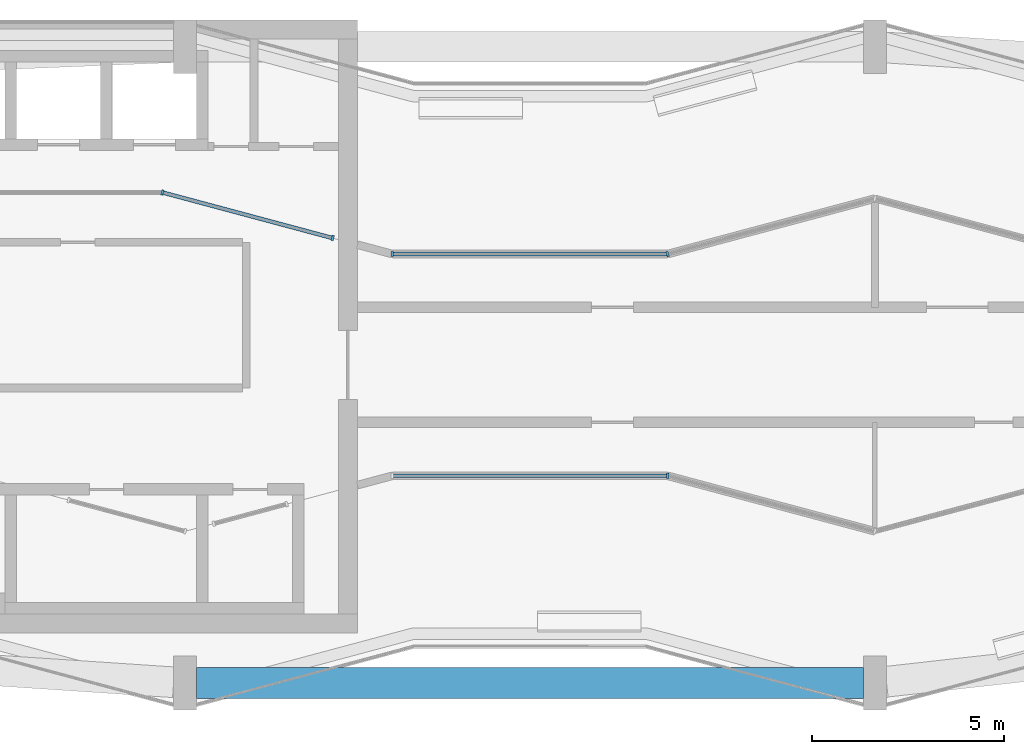
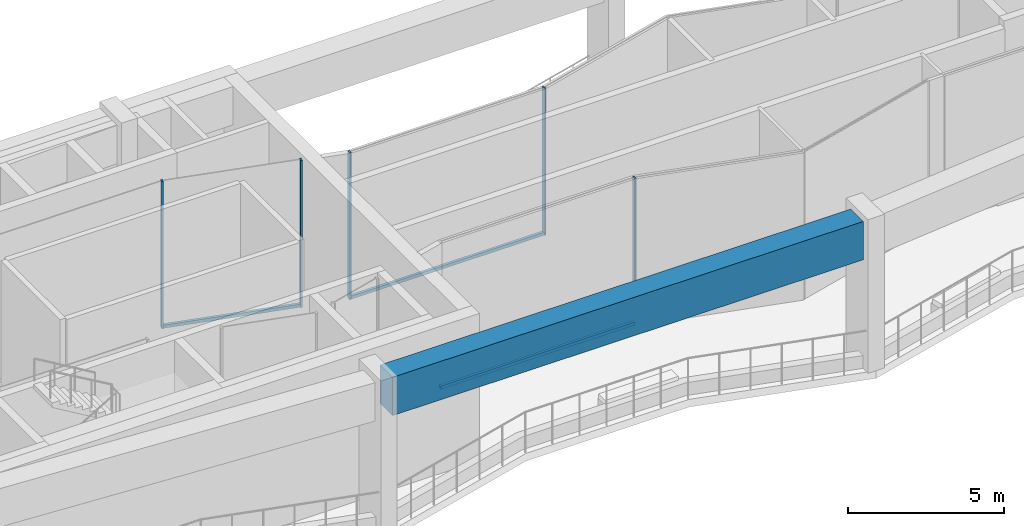
# One storey, part 3 of 12: 8 members, 1 beam, 4 elements without a shape of their own.
"""IFC4 building model written with IfcOpenShell, lengths in metres."""

import ifcopenshell
import ifcopenshell.guid

model = None  # the IFC model being written
_history = None  # IfcOwnerHistory: only IFC2X3 demands one
_inside = {}  # id of a spatial element -> (the spatial element, [elements in it])
_under = {}  # id of a project, library or spatial element -> (it, [spatial elements below it])
_declared = {}  # id of a project -> (the project, [libraries it declares])
_typed = {}  # id of a type object -> (the type object, [elements of that type])
_made_of = {}  # id of a material, layer set ... -> (it, [elements and type objects made of it])


def new_model(schema):
    """Start an empty IFC model of exactly this schema.

    Asked for "IFC4X3", IfcOpenShell would pick the latest addendum, in which some entities
    have other attributes; the version numbers below select the first issue.
    IFC2X3 requires an IfcOwnerHistory on every rooted entity: one is made here for all.
    """
    global model, _history
    if schema == "IFC4X3":
        model = ifcopenshell.file(schema_version=(4, 3, 0, 0))
    else:
        model = ifcopenshell.file(schema=schema)
    _inside.clear()
    _under.clear()
    _declared.clear()
    _typed.clear()
    _made_of.clear()
    _history = None
    if model.schema == "IFC2X3":
        org = make("IfcOrganization", Name="unknown")
        user = make(
            "IfcPersonAndOrganization",
            ThePerson=make("IfcPerson", FamilyName="unknown"),
            TheOrganization=org,
        )
        app = make(
            "IfcApplication",
            ApplicationDeveloper=org,
            Version="unknown",
            ApplicationFullName="unknown",
            ApplicationIdentifier="unknown",
        )
        _history = make(
            "IfcOwnerHistory",
            OwningUser=user,
            OwningApplication=app,
            ChangeAction="ADDED",
            CreationDate=0,
        )
    return model


def make(cls, **values):
    """One entity of the class cls with the attributes given. An attribute that is None is left unset."""
    return model.create_entity(
        cls, **{name: value for name, value in values.items() if value is not None}
    )


def rooted(cls, **values):
    """An entity with a GlobalId (a new one), such as an element, a storey or a relation."""
    return make(cls, GlobalId=ifcopenshell.guid.new(), OwnerHistory=_history, **values)


def si_unit(unit_type, name, prefix=None):
    """IfcSIUnit, for example si_unit("LENGTHUNIT", "METRE", prefix="MILLI")."""
    return make("IfcSIUnit", UnitType=unit_type, Prefix=prefix, Name=name)


def assignment(units):
    """IfcUnitAssignment: the units of a project."""
    return None if units is None else make("IfcUnitAssignment", Units=units)


def point(xyz):
    """IfcCartesianPoint."""
    return None if xyz is None else make("IfcCartesianPoint", Coordinates=xyz)


def direction(xyz):
    """IfcDirection."""
    return None if xyz is None else make("IfcDirection", DirectionRatios=xyz)


def frame(location, z_axis=None, x_axis=None):
    """IfcAxis2Placement3D, a coordinate frame: its origin and axes. An axis left out is left unset."""
    return make(
        "IfcAxis2Placement3D",
        Location=point(location),
        Axis=direction(z_axis),
        RefDirection=direction(x_axis),
    )


def frame_2d(location, x_axis=None):
    """IfcAxis2Placement2D, a coordinate frame in the plane: its origin and x axis."""
    return make(
        "IfcAxis2Placement2D", Location=point(location), RefDirection=direction(x_axis)
    )


def origin():
    """The frame at (0, 0, 0) with its axes left unset."""
    return frame((0.0, 0.0, 0.0))


def origin_2d():
    """The frame at (0, 0) in the plane with its x axis left unset."""
    return frame_2d((0.0, 0.0))


def place(relative_to, where):
    """IfcLocalPlacement: puts the frame where relative to a parent placement (None: the world)."""
    return make(
        "IfcLocalPlacement", PlacementRelTo=relative_to, RelativePlacement=where
    )


def context(
    kind, dimensions, precision=None, world=None, true_north=None, identifier=None
):
    """IfcGeometricRepresentationContext, for example the 3D "Model" context."""
    return make(
        "IfcGeometricRepresentationContext",
        ContextIdentifier=identifier,
        ContextType=kind,
        CoordinateSpaceDimension=dimensions,
        Precision=precision,
        WorldCoordinateSystem=world,
        TrueNorth=true_north,
    )


def subcontext(parent, identifier, kind, view, scale=None):
    """IfcGeometricRepresentationSubContext, for example "Body" below "Model"."""
    return make(
        "IfcGeometricRepresentationSubContext",
        ContextIdentifier=identifier,
        ContextType=kind,
        ParentContext=parent,
        TargetScale=scale,
        TargetView=view,
    )


def project(units=None, contexts=None):
    """IfcProject with its units and contexts."""
    return rooted(
        "IfcProject",
        Name="project",
        RepresentationContexts=contexts,
        UnitsInContext=assignment(units),
    )


def spatial(cls, under=None, at=None, **own):
    """A site, building, storey or space (cls), placed at a placement, below another one or the project."""
    s = rooted(cls, ObjectPlacement=at, **own)
    if under is not None:
        _under.setdefault(under.id(), (under, []))[1].append(s)
    return s


def profile(cls, at=None, kind="AREA", **sizes):
    """A parametric profile (cls). Its sizes go by their IFC names, for example OverallWidth=200.0."""
    return make(cls, ProfileType=kind, Position=at, **sizes)


def rectangle(**sizes):
    """IfcRectangleProfileDef."""
    return profile("IfcRectangleProfileDef", **sizes)


def extrude(swept, where, along, depth):
    """IfcExtrudedAreaSolid: the profile swept, set in the frame where, extruded along a direction by depth."""
    return make(
        "IfcExtrudedAreaSolid",
        SweptArea=swept,
        Position=where,
        ExtrudedDirection=direction(along),
        Depth=depth,
    )


def shape(context_of_items, identifier, shape_type, items):
    """IfcShapeRepresentation: the items that make up one representation, for example the "Body"."""
    return make(
        "IfcShapeRepresentation",
        ContextOfItems=context_of_items,
        RepresentationIdentifier=identifier,
        RepresentationType=shape_type,
        Items=items,
    )


def material(Name=None, Category=None):
    """IfcMaterial."""
    return make("IfcMaterial", Name=Name, Category=Category)


def layer(
    of_material, thickness, ventilated=None, Name=None, Category=None, Priority=None
):
    """IfcMaterialLayer: one layer of a wall or slab, of a material (None: an air gap)."""
    return make(
        "IfcMaterialLayer",
        Material=of_material,
        LayerThickness=thickness,
        IsVentilated=ventilated,
        Name=Name,
        Category=Category,
        Priority=Priority,
    )


def layer_set(layers, Name=None):
    """IfcMaterialLayerSet."""
    return make("IfcMaterialLayerSet", MaterialLayers=layers, LayerSetName=Name)


def material_profile(
    of_material, cross_section, Name=None, Category=None, Priority=None
):
    """IfcMaterialProfile: a cross section and its material."""
    return make(
        "IfcMaterialProfile",
        Name=Name,
        Material=of_material,
        Profile=cross_section,
        Priority=Priority,
        Category=Category,
    )


def profile_set(profiles, Name=None, composite=None):
    """IfcMaterialProfileSet."""
    return make(
        "IfcMaterialProfileSet",
        Name=Name,
        MaterialProfiles=profiles,
        CompositeProfile=composite,
    )


def made_of(thing, what):
    """Note that an element or type object is made of a material, layer set ...; save() writes the relation."""
    if what is not None:
        _made_of.setdefault(what.id(), (what, []))[1].append(thing)
    return thing


def type_object(cls, material=None, **own):
    """A type object (cls), such as IfcWallType, which elements share."""
    return made_of(rooted(cls, **own), material)


def element(
    cls,
    number,
    at=None,
    inside=None,
    cuts=None,
    type_object=None,
    material=None,
    context=None,
    identifier="Body",
    shape_type=None,
    held_by="IfcProductDefinitionShape",
    body=None,
    shapes=None,
    **own,
):
    """One element of the class cls, such as IfcWall. Its Tag is "e" and its number.

    at: its placement. inside: the storey or other place that contains it. cuts: it is an
    opening in that element (IfcRelVoidsElement). A single representation is given by context,
    identifier, shape_type and body (its items); several are given by shapes. held_by: the class
    of the entity that holds the representations. save() writes the other relations.
    """
    e = rooted(cls, Tag="e%d" % number, ObjectPlacement=at, **own)
    if body is not None:
        shapes = [shape(context, identifier, shape_type, body)]
    if shapes is not None:
        e.Representation = make(held_by, Representations=shapes)
    if inside is not None:
        _inside.setdefault(inside.id(), (inside, []))[1].append(e)
    if cuts is not None:
        rooted(
            "IfcRelVoidsElement", RelatingBuildingElement=cuts, RelatedOpeningElement=e
        )
    if type_object is not None:
        _typed.setdefault(type_object.id(), (type_object, []))[1].append(e)
    return made_of(e, material)


def aggregate(whole, parts):
    """IfcRelAggregates: a whole, such as a stair, and the parts it consists of."""
    return rooted("IfcRelAggregates", RelatingObject=whole, RelatedObjects=parts)


def save(model, path):
    """Write the relations noted so far, then the file.

    IfcRelAggregates (storeys below a building ...), IfcRelContainedInSpatialStructure (elements
    in a storey), IfcRelDefinesByType, IfcRelAssociatesMaterial and IfcRelDeclares: one each for
    every whole, place, type object, material and project.
    """
    for whole, parts in _under.values():
        aggregate(whole, parts)
    for where, things in _inside.values():
        rooted(
            "IfcRelContainedInSpatialStructure",
            RelatedElements=things,
            RelatingStructure=where,
        )
    for kind, things in _typed.values():
        rooted("IfcRelDefinesByType", RelatedObjects=things, RelatingType=kind)
    for what, things in _made_of.values():
        rooted("IfcRelAssociatesMaterial", RelatedObjects=things, RelatingMaterial=what)
    for by, libraries in _declared.values():
        rooted("IfcRelDeclares", RelatingContext=by, RelatedDefinitions=libraries)
    model.write(path)


model = new_model("IFC4")

# Units and contexts
model_context = context("Model", 3, precision=1e-05, world=origin(), true_north=direction((0.0, 1.0)))
body_context = subcontext(model_context, "Body", "Model", "MODEL_VIEW")
ifc_project = project(units=[si_unit("LENGTHUNIT", "METRE"), si_unit("AREAUNIT", "SQUARE_METRE"), si_unit("VOLUMEUNIT", "CUBIC_METRE"), si_unit("PLANEANGLEUNIT", "RADIAN"), si_unit("MASSUNIT", "GRAM", prefix="KILO")], contexts=[model_context])

# Site, building, storey
site_placement = place(None, origin())
site = spatial("IfcSite", under=ifc_project, at=site_placement, CompositionType="ELEMENT")
building_placement = place(site_placement, origin())
building = spatial("IfcBuilding", under=site, at=building_placement, Name="Plateau Cross Towers", CompositionType="ELEMENT")
storey_placement = place(building_placement, frame((0.0, 0.0, 236.39990234375)))
storey = spatial("IfcBuildingStorey", under=building, at=storey_placement, Name="L62", CompositionType="ELEMENT", Elevation=236.39990234375)

# Beam
ifc_material_1 = material(Name="Concrete C60/75", Category="concrete")
ifc_material_profile_1 = material_profile(ifc_material_1, rectangle(XDim=0.800048828125, YDim=1.5, at=origin_2d()), Name="RC 800x1500")
ifc_profile_set_1 = profile_set([ifc_material_profile_1], Name="Concrete C60/75")
beam_type = type_object("IfcBeamType", Name="Belt beam RC 800x1500", PredefinedType="BEAM", material=ifc_profile_set_1)
beam_placement = place(storey_placement, frame((18.300048828125, 0.699951171875, 5.0), z_axis=(1.0, 0.0, 0.0), x_axis=(0.0, 1.0, 0.0)))
element("IfcBeam", 1, at=beam_placement, inside=storey, type_object=beam_type, Name="BELT-L62-01", PredefinedType="BEAM", context=body_context, shape_type="SweptSolid", body=[
    extrude(rectangle(XDim=0.800048828125, YDim=1.5, at=origin_2d()), origin(), (0.0, 0.0, 1.0), 17.39990234375),
])

# Curtain wall, members
ifc_material_2 = material(Name="Dark low-iron glass", Category="glass")
ifc_layer = layer(ifc_material_2, 0.239990234375)
ifc_layer_set = layer_set([ifc_layer], Name="Dark low-iron glass")
curtain_wall_type = type_object("IfcCurtainWallType", Name="Curtain wall flush unitised CW-B", PredefinedType="NOTDEFINED", material=ifc_layer_set)
curtain_wall_1_placement = place(storey_placement, origin())
curtain_wall_1 = element("IfcCurtainWall", 2, at=curtain_wall_1_placement, inside=storey, type_object=curtain_wall_type, Name="ENV/A/L62/inner0_174_135", PredefinedType="NOTDEFINED")
ifc_material_3 = material(Name="Black anodised aluminium", Category="aluminium")
ifc_material_profile_2 = material_profile(ifc_material_3, rectangle(XDim=0.06005859375, YDim=0.139892578125, at=origin_2d()), Name="MULLION 60x140")
ifc_profile_set_2 = profile_set([ifc_material_profile_2], Name="Black anodised aluminium")
member_type_1 = type_object("IfcMemberType", Name="Mullion 60x140 flush unitised", PredefinedType="MULLION", material=ifc_profile_set_2)
member_1_placement = place(storey_placement, frame((17.407958984375, 13.5, 0.0), z_axis=(0.0, 0.0, 1.0), x_axis=(0.965957983404, -0.258699003279, 0.0)))
member_1 = element("IfcMember", 3, at=member_1_placement, type_object=member_type_1, Name="CW-B mullion 1", PredefinedType="MULLION", context=body_context, shape_type="SweptSolid", body=[
    extrude(rectangle(XDim=0.06005859375, YDim=0.139892578125, at=origin_2d()), origin(), (0.0, 0.0, 1.0), 5.75),
])
member_2_placement = place(storey_placement, frame((21.85107421875, 12.31005859375, 0.0), z_axis=(0.0, 0.0, 1.0), x_axis=(0.965957983404, -0.258699003279, 0.0)))
member_2 = element("IfcMember", 4, at=member_2_placement, type_object=member_type_1, Name="CW-B mullion 2", PredefinedType="MULLION", context=body_context, shape_type="SweptSolid", body=[
    extrude(rectangle(XDim=0.06005859375, YDim=0.139892578125, at=origin_2d()), origin(), (0.0, 0.0, 1.0), 5.75),
])

# Curtain wall, member
curtain_wall_2_placement = place(storey_placement, origin())
curtain_wall_2 = element("IfcCurtainWall", 5, at=curtain_wall_2_placement, inside=storey, type_object=curtain_wall_type, Name="ENV/A/L62/inner0_234_119", PredefinedType="NOTDEFINED")
member_3_placement = place(storey_placement, frame((23.407958984375, 11.89306640625, 0.0), z_axis=(0.0, 0.0, 1.0), x_axis=(1.0, 0.0, 0.0)))
member_3 = element("IfcMember", 6, at=member_3_placement, type_object=member_type_1, Name="CW-B mullion 1", PredefinedType="MULLION", context=body_context, shape_type="SweptSolid", body=[
    extrude(rectangle(XDim=0.06005859375, YDim=0.139892578125, at=origin_2d()), origin(), (0.0, 0.0, 1.0), 5.75),
])

curtain_wall_3_placement = place(storey_placement, origin())
curtain_wall_3 = element("IfcCurtainWall", 7, at=curtain_wall_3_placement, inside=storey, type_object=curtain_wall_type, Name="ENV/A/L62/inner0_306_119", PredefinedType="NOTDEFINED")
member_4_placement = place(storey_placement, frame((30.592041015625, 11.89306640625, 0.0), z_axis=(0.0, 0.0, 1.0), x_axis=(0.965957983404, 0.258699003279, 0.0)))
member_4 = element("IfcMember", 8, at=member_4_placement, type_object=member_type_1, Name="CW-B mullion 1", PredefinedType="MULLION", context=body_context, shape_type="SweptSolid", body=[
    extrude(rectangle(XDim=0.06005859375, YDim=0.139892578125, at=origin_2d()), origin(), (0.0, 0.0, 1.0), 5.75),
])
aggregate(curtain_wall_3, [member_4])

curtain_wall_4_placement = place(storey_placement, origin())
curtain_wall_4 = element("IfcCurtainWall", 9, at=curtain_wall_4_placement, inside=storey, type_object=curtain_wall_type, Name="ENV/A/L62/inner0_306_61", PredefinedType="NOTDEFINED")
member_5_placement = place(storey_placement, frame((30.592041015625, 6.10693359375, 0.0), z_axis=(0.0, 0.0, 1.0), x_axis=(-1.0, 0.0, 0.0)))
member_5 = element("IfcMember", 10, at=member_5_placement, type_object=member_type_1, Name="CW-B mullion 1", PredefinedType="MULLION", context=body_context, shape_type="SweptSolid", body=[
    extrude(rectangle(XDim=0.06005859375, YDim=0.139892578125, at=origin_2d()), origin(), (0.0, 0.0, 1.0), 5.75),
])

# Member
ifc_material_profile_3 = material_profile(ifc_material_3, rectangle(XDim=0.10009765625, YDim=0.1201171875, at=origin_2d()), Name="TRANSOM 100x120")
ifc_profile_set_3 = profile_set([ifc_material_profile_3], Name="Black anodised aluminium")
member_type_2 = type_object("IfcMemberType", Name="Transom 100x120 flush unitised", PredefinedType="USERDEFINED", material=ifc_profile_set_3)
member_6_placement = place(storey_placement, frame((17.407958984375, 13.5, 0.06005859375), z_axis=(0.965957763014, -0.258699826195, 0.0), x_axis=(0.258699826195, 0.965957763014, 0.0)))
member_6 = element("IfcMember", 11, at=member_6_placement, type_object=member_type_2, Name="CW-B transom", ObjectType="TRANSOM", PredefinedType="USERDEFINED", context=body_context, shape_type="SweptSolid", body=[
    extrude(rectangle(XDim=0.10009765625, YDim=0.1201171875, at=origin_2d()), origin(), (0.0, 0.0, 1.0), 4.599609375),
])

aggregate(curtain_wall_1, [member_1, member_2, member_6])

member_7_placement = place(storey_placement, frame((23.407958984375, 11.89306640625, 0.06005859375), z_axis=(1.0, 0.0, 0.0), x_axis=(0.0, 1.0, 0.0)))
member_7 = element("IfcMember", 12, at=member_7_placement, type_object=member_type_2, Name="CW-B transom", ObjectType="TRANSOM", PredefinedType="USERDEFINED", context=body_context, shape_type="SweptSolid", body=[
    extrude(rectangle(XDim=0.10009765625, YDim=0.1201171875, at=origin_2d()), origin(), (0.0, 0.0, 1.0), 7.18408203125),
])

aggregate(curtain_wall_2, [member_3, member_7])

member_8_placement = place(storey_placement, frame((30.592041015625, 6.10693359375, 0.06005859375), z_axis=(-1.0, 0.0, 0.0), x_axis=(0.0, -1.0, 0.0)))
member_8 = element("IfcMember", 13, at=member_8_placement, type_object=member_type_2, Name="CW-B transom", ObjectType="TRANSOM", PredefinedType="USERDEFINED", context=body_context, shape_type="SweptSolid", body=[
    extrude(rectangle(XDim=0.10009765625, YDim=0.1201171875, at=origin_2d()), origin(), (0.0, 0.0, 1.0), 7.18408203125),
])

aggregate(curtain_wall_4, [member_5, member_8])

save(model, "model.ifc")
